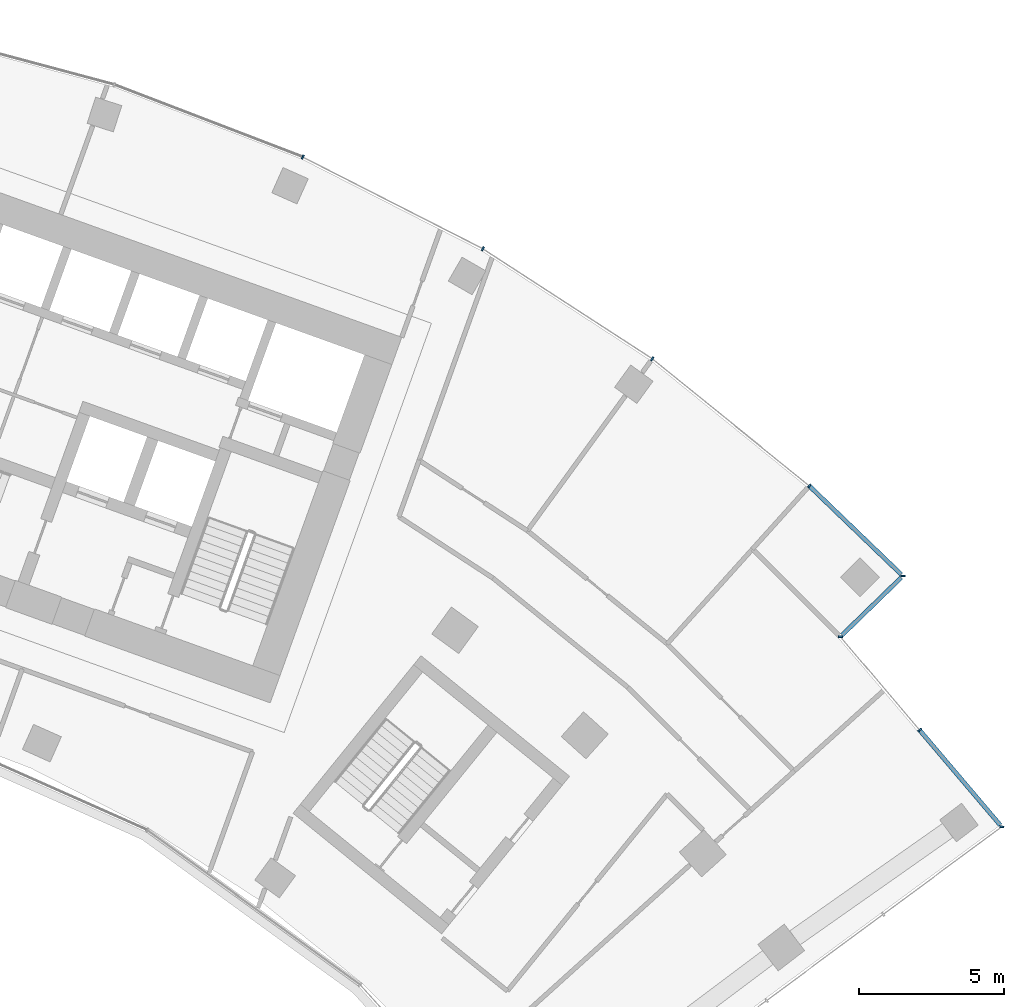
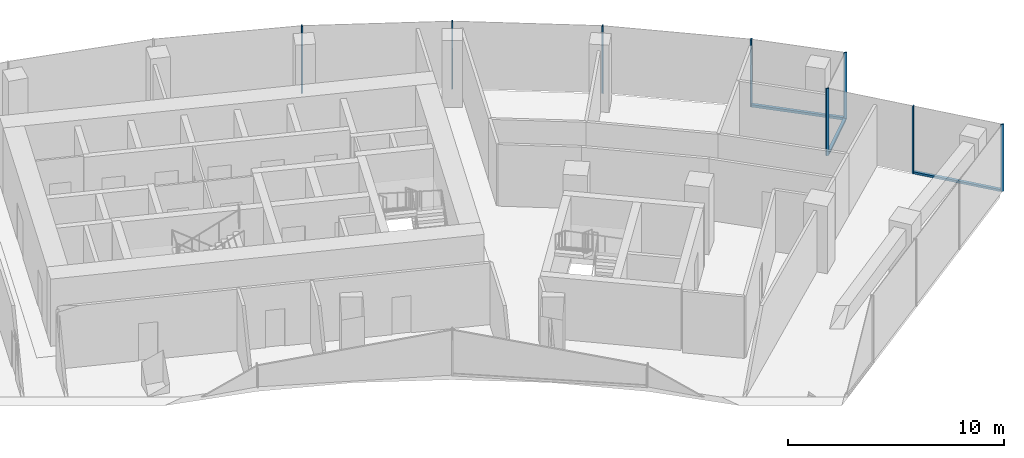
# One storey, part 8 of 16: 11 members, 3 elements without a shape of their own.
"""IFC4 building model written with IfcOpenShell, lengths in metres."""

from ifc_helpers import new_model, si_unit, direction, frame, origin, origin_2d, place, context, subcontext, project, spatial, rectangle, extrude, material, layer, layer_set, material_profile, profile_set, type_object, element, aggregate, save


model = new_model("IFC4")

# Units and contexts
model_context = context("Model", 3, precision=1e-05, world=origin(), true_north=direction((0.0, 1.0)))
body_context = subcontext(model_context, "Body", "Model", "MODEL_VIEW")
ifc_project = project(units=[si_unit("LENGTHUNIT", "METRE"), si_unit("AREAUNIT", "SQUARE_METRE"), si_unit("VOLUMEUNIT", "CUBIC_METRE"), si_unit("PLANEANGLEUNIT", "RADIAN"), si_unit("MASSUNIT", "GRAM", prefix="KILO")], contexts=[model_context])

# Site, building, storey
site_placement = place(None, origin())
site = spatial("IfcSite", under=ifc_project, at=site_placement, CompositionType="ELEMENT")
building_placement = place(site_placement, origin())
building = spatial("IfcBuilding", under=site, at=building_placement, Name="Stone Belt Terrace Tower", CompositionType="ELEMENT")
storey_placement = place(building_placement, frame((0.0, 0.0, 242.800048828125)))
storey = spatial("IfcBuildingStorey", under=building, at=storey_placement, Name="L59", CompositionType="ELEMENT", Elevation=242.800048828125)

# Curtain wall, members
ifc_material = material(Name="Aluminium 6063-T6 anodised frame", Category="aluminium")
ifc_layer_1 = layer(ifc_material, 0.14990234375)
ifc_layer_set_1 = layer_set([ifc_layer_1], Name="CW-A unitised convex-face curtain wall")
curtain_wall_type_1 = type_object("IfcCurtainWallType", Name="CW-A unitised convex-face curtain wall", PredefinedType="NOTDEFINED", material=ifc_layer_set_1)
curtain_wall_1_placement = place(storey_placement, origin())
curtain_wall_1 = element("IfcCurtainWall", 1, at=curtain_wall_1_placement, inside=storey, type_object=curtain_wall_type_1, Name="CW-A convex face L59", PredefinedType="NOTDEFINED")
ifc_material_profile_1 = material_profile(ifc_material, rectangle(XDim=0.14990234375, YDim=0.06005859375, at=origin_2d()), Name="Aluminium 6063-T6 60x150")
ifc_profile_set_1 = profile_set([ifc_material_profile_1], Name="Aluminium 6063-T6 anodised frame")
member_type_1 = type_object("IfcMemberType", Name="CW-A mullion 60 x 150", PredefinedType="MULLION", material=ifc_profile_set_1)
member_1_placement = place(storey_placement, frame((47.775390625, 46.369140625, 0.0), z_axis=(0.0, 0.0, 1.0), x_axis=(-0.999996264646, -0.002733257028, 0.0)))
member_1 = element("IfcMember", 2, at=member_1_placement, type_object=member_type_1, Name="CW-A mullion 1", PredefinedType="MULLION", context=body_context, shape_type="SweptSolid", body=[
    extrude(rectangle(XDim=0.14990234375, YDim=0.06005859375, at=origin_2d()), origin(), (0.0, 0.0, 1.0), 3.800048828125),
])
member_2_placement = place(storey_placement, frame((44.546875, 49.475341796875, 0.0), z_axis=(0.0, 0.0, 1.0), x_axis=(-0.661937409618, -0.749559114245, 0.0)))
member_2 = element("IfcMember", 3, at=member_2_placement, type_object=member_type_1, Name="CW-A mullion 2", PredefinedType="MULLION", context=body_context, shape_type="SweptSolid", body=[
    extrude(rectangle(XDim=0.14990234375, YDim=0.06005859375, at=origin_2d()), origin(), (0.0, 0.0, 1.0), 3.800048828125),
])
member_3_placement = place(storey_placement, frame((39.1318359375, 53.8603515625, 0.0), z_axis=(0.0, 0.0, 1.0), x_axis=(-0.587785252292, -0.809016994375, 0.0)))
member_3 = element("IfcMember", 4, at=member_3_placement, type_object=member_type_1, Name="CW-A mullion 3", PredefinedType="MULLION", context=body_context, shape_type="SweptSolid", body=[
    extrude(rectangle(XDim=0.14990234375, YDim=0.06005859375, at=origin_2d()), origin(), (0.0, 0.0, 1.0), 3.800048828125),
])
member_4_placement = place(storey_placement, frame((33.28759765625, 57.65576171875, 0.0), z_axis=(0.0, 0.0, 1.0), x_axis=(-0.5, -0.866025403784, 0.0)))
member_4 = element("IfcMember", 5, at=member_4_placement, type_object=member_type_1, Name="CW-A mullion 4", PredefinedType="MULLION", context=body_context, shape_type="SweptSolid", body=[
    extrude(rectangle(XDim=0.14990234375, YDim=0.06005859375, at=origin_2d()), origin(), (0.0, 0.0, 1.0), 3.800048828125),
])
member_5_placement = place(storey_placement, frame((27.07861328125, 60.8193359375, 0.0), z_axis=(0.0, 0.0, 1.0), x_axis=(-0.406736643076, -0.913545457643, 0.0)))
member_5 = element("IfcMember", 6, at=member_5_placement, type_object=member_type_1, Name="CW-A mullion 5", PredefinedType="MULLION", context=body_context, shape_type="SweptSolid", body=[
    extrude(rectangle(XDim=0.14990234375, YDim=0.06005859375, at=origin_2d()), origin(), (0.0, 0.0, 1.0), 3.800048828125),
])
ifc_material_profile_2 = material_profile(ifc_material, rectangle(XDim=0.14990234375, YDim=0.139892578125, at=origin_2d()), Name="Aluminium 6063-T6 150x140")
ifc_profile_set_2 = profile_set([ifc_material_profile_2], Name="Aluminium 6063-T6 anodised frame")
member_type_2 = type_object("IfcMemberType", Name="CW-A transom 140 x 150", PredefinedType="USERDEFINED", material=ifc_profile_set_2)
member_6_placement = place(storey_placement, frame((47.721435546875, 46.4208984375, 0.070068359375), z_axis=(-0.720600183576, 0.693350831419, 0.0), x_axis=(-0.693350831419, -0.720600183576, 0.0)))
member_6 = element("IfcMember", 7, at=member_6_placement, type_object=member_type_2, Name="CW-A transom 1.1", ObjectType="TRANSOM", PredefinedType="USERDEFINED", context=body_context, shape_type="SweptSolid", body=[
    extrude(rectangle(XDim=0.14990234375, YDim=0.139892578125, at=origin_2d()), origin(), (0.0, 0.0, 1.0), 4.372314453125),
])
aggregate(curtain_wall_1, [member_1, member_2, member_3, member_4, member_5, member_6])

ifc_layer_2 = layer(ifc_material, 0.14990234375)
ifc_layer_set_2 = layer_set([ifc_layer_2], Name="CW-C stick curtain wall, horn ends and notches")
curtain_wall_type_2 = type_object("IfcCurtainWallType", Name="CW-C stick curtain wall, horn ends and notches", PredefinedType="NOTDEFINED", material=ifc_layer_set_2)
curtain_wall_2_placement = place(storey_placement, origin())
curtain_wall_2 = element("IfcCurtainWall", 8, at=curtain_wall_2_placement, inside=storey, type_object=curtain_wall_type_2, Name="CW-C notch face L59", PredefinedType="NOTDEFINED")
ifc_material_profile_3 = material_profile(ifc_material, rectangle(XDim=0.14990234375, YDim=0.06005859375, at=origin_2d()), Name="Aluminium 6063-T6 60x150")
ifc_profile_set_3 = profile_set([ifc_material_profile_3], Name="Aluminium 6063-T6 anodised frame")
member_type_3 = type_object("IfcMemberType", Name="CW-C mullion 60 x 150", PredefinedType="MULLION", material=ifc_profile_set_3)
member_7_placement = place(storey_placement, frame((51.18408203125, 37.718017578125, 0.0), z_axis=(0.0, 0.0, 1.0), x_axis=(-0.993358853918, 0.115057321987, 0.0)))
member_7 = element("IfcMember", 9, at=member_7_placement, type_object=member_type_3, Name="CW-C mullion 1", PredefinedType="MULLION", context=body_context, shape_type="SweptSolid", body=[
    extrude(rectangle(XDim=0.14990234375, YDim=0.06005859375, at=origin_2d()), origin(), (0.0, 0.0, 1.0), 3.800048828125),
])
member_8_placement = place(storey_placement, frame((48.35302734375, 41.052490234375, 0.0), z_axis=(0.0, 0.0, 1.0), x_axis=(-0.762310954743, -0.647210945735, 0.0)))
member_8 = element("IfcMember", 10, at=member_8_placement, type_object=member_type_3, Name="CW-C mullion 2", PredefinedType="MULLION", context=body_context, shape_type="SweptSolid", body=[
    extrude(rectangle(XDim=0.14990234375, YDim=0.06005859375, at=origin_2d()), origin(), (0.0, 0.0, 1.0), 3.800048828125),
])

# Curtain wall, member
curtain_wall_3_placement = place(storey_placement, origin())
curtain_wall_3 = element("IfcCurtainWall", 11, at=curtain_wall_3_placement, inside=storey, type_object=curtain_wall_type_2, Name="CW-C notch face L59", PredefinedType="NOTDEFINED")
member_9_placement = place(storey_placement, frame((45.61962890625, 44.27197265625, 0.0), z_axis=(0.0, 0.0, 1.0), x_axis=(-0.998865261612, 0.047625509398, 0.0)))
member_9 = element("IfcMember", 12, at=member_9_placement, type_object=member_type_3, Name="CW-C mullion 1", PredefinedType="MULLION", context=body_context, shape_type="SweptSolid", body=[
    extrude(rectangle(XDim=0.14990234375, YDim=0.06005859375, at=origin_2d()), origin(), (0.0, 0.0, 1.0), 3.800048828125),
])

# Member
ifc_material_profile_4 = material_profile(ifc_material, rectangle(XDim=0.14990234375, YDim=0.1201171875, at=origin_2d()), Name="Aluminium 6063-T6 150x120")
ifc_profile_set_4 = profile_set([ifc_material_profile_4], Name="Aluminium 6063-T6 anodised frame")
member_type_4 = type_object("IfcMemberType", Name="CW-C transom 120 x 150", PredefinedType="USERDEFINED", material=ifc_profile_set_4)
member_10_placement = place(storey_placement, frame((51.13525390625, 37.775390625, 0.06005859375), z_axis=(-0.647195078608, 0.762324425836, 0.0), x_axis=(-0.762324425836, -0.647195078608, 0.0)))
member_10 = element("IfcMember", 13, at=member_10_placement, type_object=member_type_4, Name="CW-C transom 1.1", ObjectType="TRANSOM", PredefinedType="USERDEFINED", context=body_context, shape_type="SweptSolid", body=[
    extrude(rectangle(XDim=0.14990234375, YDim=0.1201171875, at=origin_2d()), origin(), (0.0, 0.0, 1.0), 4.268798828125),
])

aggregate(curtain_wall_2, [member_7, member_8, member_10])

member_11_placement = place(storey_placement, frame((45.671875, 44.322998046875, 0.06005859375), z_axis=(0.716814728684, 0.697263683797, 0.0), x_axis=(-0.697263683797, 0.716814728684, 0.0)))
member_11 = element("IfcMember", 14, at=member_11_placement, type_object=member_type_4, Name="CW-C transom 1.1", ObjectType="TRANSOM", PredefinedType="USERDEFINED", context=body_context, shape_type="SweptSolid", body=[
    extrude(rectangle(XDim=0.14990234375, YDim=0.1201171875, at=origin_2d()), origin(), (0.0, 0.0, 1.0), 2.859619140625),
])

aggregate(curtain_wall_3, [member_9, member_11])

save(model, "model.ifc")
